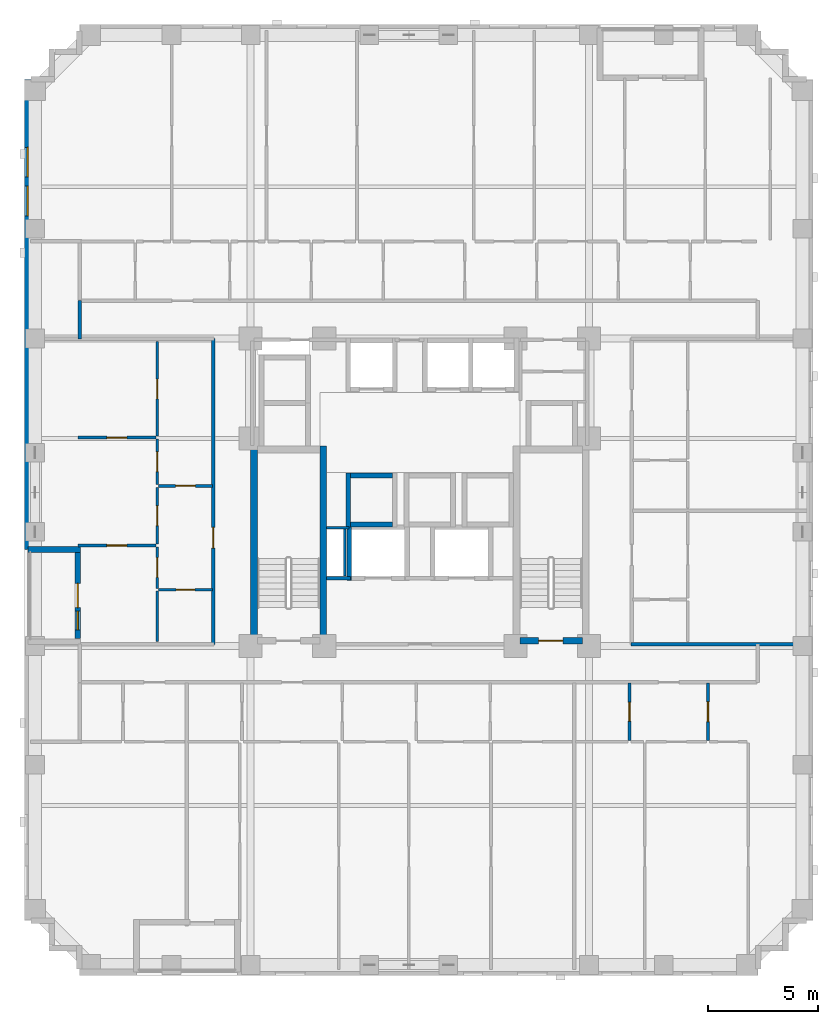
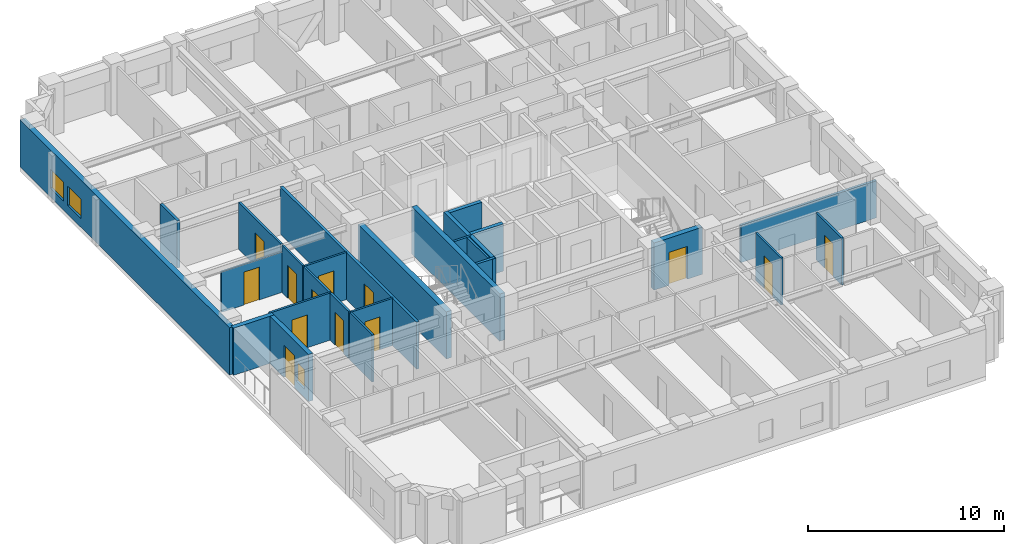
# One storey, part 4 of 12: 27 walls, 13 doors, 3 windows, 16 openings.
"""IFC4 building model written with IfcOpenShell, lengths in metres."""

import ifcopenshell
import ifcopenshell.guid

model = None  # the IFC model being written
_history = None  # IfcOwnerHistory: only IFC2X3 demands one
_inside = {}  # id of a spatial element -> (the spatial element, [elements in it])
_under = {}  # id of a project, library or spatial element -> (it, [spatial elements below it])
_declared = {}  # id of a project -> (the project, [libraries it declares])
_typed = {}  # id of a type object -> (the type object, [elements of that type])
_made_of = {}  # id of a material, layer set ... -> (it, [elements and type objects made of it])


def new_model(schema):
    """Start an empty IFC model of exactly this schema.

    Asked for "IFC4X3", IfcOpenShell would pick the latest addendum, in which some entities
    have other attributes; the version numbers below select the first issue.
    IFC2X3 requires an IfcOwnerHistory on every rooted entity: one is made here for all.
    """
    global model, _history
    if schema == "IFC4X3":
        model = ifcopenshell.file(schema_version=(4, 3, 0, 0))
    else:
        model = ifcopenshell.file(schema=schema)
    _inside.clear()
    _under.clear()
    _declared.clear()
    _typed.clear()
    _made_of.clear()
    _history = None
    if model.schema == "IFC2X3":
        org = make("IfcOrganization", Name="unknown")
        user = make(
            "IfcPersonAndOrganization",
            ThePerson=make("IfcPerson", FamilyName="unknown"),
            TheOrganization=org,
        )
        app = make(
            "IfcApplication",
            ApplicationDeveloper=org,
            Version="unknown",
            ApplicationFullName="unknown",
            ApplicationIdentifier="unknown",
        )
        _history = make(
            "IfcOwnerHistory",
            OwningUser=user,
            OwningApplication=app,
            ChangeAction="ADDED",
            CreationDate=0,
        )
    return model


def make(cls, **values):
    """One entity of the class cls with the attributes given. An attribute that is None is left unset."""
    return model.create_entity(
        cls, **{name: value for name, value in values.items() if value is not None}
    )


def rooted(cls, **values):
    """An entity with a GlobalId (a new one), such as an element, a storey or a relation."""
    return make(cls, GlobalId=ifcopenshell.guid.new(), OwnerHistory=_history, **values)


def si_unit(unit_type, name, prefix=None):
    """IfcSIUnit, for example si_unit("LENGTHUNIT", "METRE", prefix="MILLI")."""
    return make("IfcSIUnit", UnitType=unit_type, Prefix=prefix, Name=name)


def derived_unit(unit_type, elements):
    """IfcDerivedUnit: a product of units, each with its exponent."""
    return make(
        "IfcDerivedUnit",
        Elements=[
            make("IfcDerivedUnitElement", Unit=unit, Exponent=power)
            for unit, power in elements
        ],
        UnitType=unit_type,
    )


def assignment(units):
    """IfcUnitAssignment: the units of a project."""
    return None if units is None else make("IfcUnitAssignment", Units=units)


def point(xyz):
    """IfcCartesianPoint."""
    return None if xyz is None else make("IfcCartesianPoint", Coordinates=xyz)


def direction(xyz):
    """IfcDirection."""
    return None if xyz is None else make("IfcDirection", DirectionRatios=xyz)


def frame(location, z_axis=None, x_axis=None):
    """IfcAxis2Placement3D, a coordinate frame: its origin and axes. An axis left out is left unset."""
    return make(
        "IfcAxis2Placement3D",
        Location=point(location),
        Axis=direction(z_axis),
        RefDirection=direction(x_axis),
    )


def frame_2d(location, x_axis=None):
    """IfcAxis2Placement2D, a coordinate frame in the plane: its origin and x axis."""
    return make(
        "IfcAxis2Placement2D", Location=point(location), RefDirection=direction(x_axis)
    )


def origin():
    """The frame at (0, 0, 0) with its axes left unset."""
    return frame((0.0, 0.0, 0.0))


def place(relative_to, where):
    """IfcLocalPlacement: puts the frame where relative to a parent placement (None: the world)."""
    return make(
        "IfcLocalPlacement", PlacementRelTo=relative_to, RelativePlacement=where
    )


def context(
    kind, dimensions, precision=None, world=None, true_north=None, identifier=None
):
    """IfcGeometricRepresentationContext, for example the 3D "Model" context."""
    return make(
        "IfcGeometricRepresentationContext",
        ContextIdentifier=identifier,
        ContextType=kind,
        CoordinateSpaceDimension=dimensions,
        Precision=precision,
        WorldCoordinateSystem=world,
        TrueNorth=true_north,
    )


def subcontext(parent, identifier, kind, view, scale=None):
    """IfcGeometricRepresentationSubContext, for example "Body" below "Model"."""
    return make(
        "IfcGeometricRepresentationSubContext",
        ContextIdentifier=identifier,
        ContextType=kind,
        ParentContext=parent,
        TargetScale=scale,
        TargetView=view,
    )


def project(units=None, contexts=None):
    """IfcProject with its units and contexts."""
    return rooted(
        "IfcProject",
        Name="project",
        RepresentationContexts=contexts,
        UnitsInContext=assignment(units),
    )


def spatial(cls, under=None, at=None, **own):
    """A site, building, storey or space (cls), placed at a placement, below another one or the project."""
    s = rooted(cls, ObjectPlacement=at, **own)
    if under is not None:
        _under.setdefault(under.id(), (under, []))[1].append(s)
    return s


def profile(cls, at=None, kind="AREA", **sizes):
    """A parametric profile (cls). Its sizes go by their IFC names, for example OverallWidth=200.0."""
    return make(cls, ProfileType=kind, Position=at, **sizes)


def rectangle(**sizes):
    """IfcRectangleProfileDef."""
    return profile("IfcRectangleProfileDef", **sizes)


def extrude(swept, where, along, depth):
    """IfcExtrudedAreaSolid: the profile swept, set in the frame where, extruded along a direction by depth."""
    return make(
        "IfcExtrudedAreaSolid",
        SweptArea=swept,
        Position=where,
        ExtrudedDirection=direction(along),
        Depth=depth,
    )


def shape(context_of_items, identifier, shape_type, items):
    """IfcShapeRepresentation: the items that make up one representation, for example the "Body"."""
    return make(
        "IfcShapeRepresentation",
        ContextOfItems=context_of_items,
        RepresentationIdentifier=identifier,
        RepresentationType=shape_type,
        Items=items,
    )


def material(Name=None, Category=None):
    """IfcMaterial."""
    return make("IfcMaterial", Name=Name, Category=Category)


def layer(
    of_material, thickness, ventilated=None, Name=None, Category=None, Priority=None
):
    """IfcMaterialLayer: one layer of a wall or slab, of a material (None: an air gap)."""
    return make(
        "IfcMaterialLayer",
        Material=of_material,
        LayerThickness=thickness,
        IsVentilated=ventilated,
        Name=Name,
        Category=Category,
        Priority=Priority,
    )


def layer_set(layers, Name=None):
    """IfcMaterialLayerSet."""
    return make("IfcMaterialLayerSet", MaterialLayers=layers, LayerSetName=Name)


def made_of(thing, what):
    """Note that an element or type object is made of a material, layer set ...; save() writes the relation."""
    if what is not None:
        _made_of.setdefault(what.id(), (what, []))[1].append(thing)
    return thing


def type_object(cls, material=None, **own):
    """A type object (cls), such as IfcWallType, which elements share."""
    return made_of(rooted(cls, **own), material)


def element(
    cls,
    number,
    at=None,
    inside=None,
    cuts=None,
    type_object=None,
    material=None,
    context=None,
    identifier="Body",
    shape_type=None,
    held_by="IfcProductDefinitionShape",
    body=None,
    shapes=None,
    **own,
):
    """One element of the class cls, such as IfcWall. Its Tag is "e" and its number.

    at: its placement. inside: the storey or other place that contains it. cuts: it is an
    opening in that element (IfcRelVoidsElement). A single representation is given by context,
    identifier, shape_type and body (its items); several are given by shapes. held_by: the class
    of the entity that holds the representations. save() writes the other relations.
    """
    e = rooted(cls, Tag="e%d" % number, ObjectPlacement=at, **own)
    if body is not None:
        shapes = [shape(context, identifier, shape_type, body)]
    if shapes is not None:
        e.Representation = make(held_by, Representations=shapes)
    if inside is not None:
        _inside.setdefault(inside.id(), (inside, []))[1].append(e)
    if cuts is not None:
        rooted(
            "IfcRelVoidsElement", RelatingBuildingElement=cuts, RelatedOpeningElement=e
        )
    if type_object is not None:
        _typed.setdefault(type_object.id(), (type_object, []))[1].append(e)
    return made_of(e, material)


def fill(opening, filler):
    """IfcRelFillsElement: the door or window that sits in an opening."""
    return rooted(
        "IfcRelFillsElement",
        RelatingOpeningElement=opening,
        RelatedBuildingElement=filler,
    )


def aggregate(whole, parts):
    """IfcRelAggregates: a whole, such as a stair, and the parts it consists of."""
    return rooted("IfcRelAggregates", RelatingObject=whole, RelatedObjects=parts)


def save(model, path):
    """Write the relations noted so far, then the file.

    IfcRelAggregates (storeys below a building ...), IfcRelContainedInSpatialStructure (elements
    in a storey), IfcRelDefinesByType, IfcRelAssociatesMaterial and IfcRelDeclares: one each for
    every whole, place, type object, material and project.
    """
    for whole, parts in _under.values():
        aggregate(whole, parts)
    for where, things in _inside.values():
        rooted(
            "IfcRelContainedInSpatialStructure",
            RelatedElements=things,
            RelatingStructure=where,
        )
    for kind, things in _typed.values():
        rooted("IfcRelDefinesByType", RelatedObjects=things, RelatingType=kind)
    for what, things in _made_of.values():
        rooted("IfcRelAssociatesMaterial", RelatedObjects=things, RelatingMaterial=what)
    for by, libraries in _declared.values():
        rooted("IfcRelDeclares", RelatingContext=by, RelatedDefinitions=libraries)
    model.write(path)


model = new_model("IFC4")

# Units and contexts
model_context = context("Model", 3, precision=1e-05, world=origin(), true_north=direction((0.0, 1.0)))
body_context = subcontext(model_context, "Body", "Model", "MODEL_VIEW")
ifc_project = project(units=[si_unit("LENGTHUNIT", "METRE"), si_unit("AREAUNIT", "SQUARE_METRE"), si_unit("VOLUMEUNIT", "CUBIC_METRE"), si_unit("PLANEANGLEUNIT", "RADIAN"), si_unit("MASSUNIT", "GRAM", prefix="KILO"), derived_unit("THERMALTRANSMITTANCEUNIT", [(si_unit("MASSUNIT", "GRAM", prefix="KILO"), 1), (si_unit("TIMEUNIT", "SECOND"), -3), (si_unit("THERMODYNAMICTEMPERATUREUNIT", "KELVIN"), -1)])], contexts=[model_context])

# Site, building, storey
site_placement = place(None, origin())
site = spatial("IfcSite", under=ifc_project, at=site_placement, CompositionType="ELEMENT")
building_placement = place(site_placement, origin())
building = spatial("IfcBuilding", under=site, at=building_placement, Name="Korrvale Station Residences", CompositionType="ELEMENT")
storey_placement = place(building_placement, frame((0.0, 0.0, 78.300048828125)))
storey = spatial("IfcBuildingStorey", under=building, at=storey_placement, Name="L21", CompositionType="ELEMENT", Elevation=78.300048828125)

# Walls
ifc_material_1 = material(Name="Concrete C60/75", Category="concrete")
ifc_layer_1 = layer(ifc_material_1, 0.300048828125, Name="Concrete C60/75")
ifc_layer_set_1 = layer_set([ifc_layer_1], Name="Concrete C60/75")
wall_type_1 = type_object("IfcWallType", Name="WAL-CORE-300-C60", PredefinedType="SHEAR", material=ifc_layer_set_1)
for number, where, z_axis, x_axis, name in (
    (1, (17.949951171875, 15.10009765625, 0.0), (0.0, 0.0, 1.0), (0.0, 1.0, 0.0), "L21 ST-1 Core Shear Wall West"),
    (2, (21.10009765625, 15.10009765625, 0.0), (0.0, 0.0, 1.0), (0.0, 1.0, 0.0), "L21 ST-1 Core Shear Wall East"),
):
    element("IfcWall", number, at=place(storey_placement, frame(where, z_axis=z_axis, x_axis=x_axis)), inside=storey, type_object=wall_type_1, Name=name, PredefinedType="SHEAR", context=body_context, shape_type="SweptSolid", body=[
        extrude(rectangle(XDim=9.0, YDim=0.300048828125, at=frame_2d((4.5, 0.0))), origin(), (0.0, 0.0, 1.0), 2.93994140625),
    ])

# Wall, opening, door
wall_1_placement = place(storey_placement, frame((30.050048828125, 15.25, 0.0), z_axis=(0.0, 0.0, 1.0), x_axis=(1.0, 0.0, 0.0)))
wall_1 = element("IfcWall", 3, at=wall_1_placement, inside=storey, type_object=wall_type_1, Name="L21 ST-2 Core Shear Wall South", PredefinedType="SHEAR", context=body_context, shape_type="SweptSolid", body=[
    extrude(rectangle(XDim=2.849853515625, YDim=0.300048828125, at=frame_2d((1.4248046875, 0.0))), origin(), (0.0, 0.0, 1.0), 2.93994140625),
])
opening_1_placement = place(wall_1_placement, frame((0.860107421875, 0.0, 0.0)))
opening_1 = element("IfcOpeningElement", 4, at=opening_1_placement, cuts=wall_1, Name="Opening SD-1100", PredefinedType="OPENING", context=body_context, shape_type="SweptSolid", body=[
    extrude(rectangle(XDim=1.10009765625, YDim=2.050048828125, at=frame_2d((0.550048828125, 1.02490234375))), frame((0.0, 0.16015625, 0.0), z_axis=(0.0, -1.0, 0.0), x_axis=(1.0, 0.0, 0.0)), (0.0, 0.0, 1.0), 0.320068359375),
])
ifc_material_2 = material(Name="Hollow-metal fire-rated stair door with closer", Category="steel")
door_type_1 = type_object("IfcDoorType", Name="DR-STAIR-1100", OperationType="NOTDEFINED", PredefinedType="DOOR", material=ifc_material_2)
door_1_placement = place(opening_1_placement, origin())
door_1 = element("IfcDoor", 5, at=door_1_placement, inside=storey, type_object=door_type_1, Name="L21 ST-2 Exit Stair Door", OperationType="SINGLE_SWING_RIGHT", OverallHeight=2.050048828125, OverallWidth=1.10009765625, PredefinedType="DOOR", context=body_context, shape_type="SweptSolid", body=[
    extrude(rectangle(XDim=1.10009765625, YDim=2.050048828125, at=frame_2d((0.550048828125, 1.02490234375))), frame((0.0, 0.02490234375, 0.0), z_axis=(0.0, -1.0, 0.0), x_axis=(1.0, 0.0, 0.0)), (0.0, 0.0, 1.0), 0.050048828125),
])
fill(opening_1, door_1)

# Wall, openings, door, window
ifc_material_3 = material(Name="Precast concrete C45/55", Category="concrete")
ifc_layer_2 = layer(ifc_material_3, 0.260009765625, Name="Precast concrete C45/55")
ifc_layer_set_2 = layer_set([ifc_layer_2], Name="Precast concrete C45/55")
wall_type_2 = type_object("IfcWallType", Name="WAL-EXT-LOG260", PredefinedType="SOLIDWALL", material=ifc_layer_set_2)
wall_2_placement = place(storey_placement, frame((9.929931640625, 15.333984375, 0.0), z_axis=(0.0, 0.0, 1.0), x_axis=(0.0, 1.0, 0.0)))
wall_2 = element("IfcWall", 6, at=wall_2_placement, inside=storey, type_object=wall_type_2, Name="L21 Recessed Loggia Wall BAL-L21-W1-B", PredefinedType="SOLIDWALL", context=body_context, shape_type="SweptSolid", body=[
    extrude(rectangle(XDim=3.93212890625, YDim=0.260009765625, at=frame_2d((1.966064453125, 0.0))), origin(), (0.0, 0.0, 1.0), 2.93994140625),
])
opening_2_placement = place(wall_2_placement, frame((1.416015625, 0.0, 0.0)))
opening_2 = element("IfcOpeningElement", 7, at=opening_2_placement, cuts=wall_2, Name="Opening BD-01", PredefinedType="OPENING", context=body_context, shape_type="SweptSolid", body=[
    extrude(rectangle(XDim=1.10009765625, YDim=2.0, at=frame_2d((0.550048828125, 1.0))), frame((0.0, 0.14013671875, 0.0), z_axis=(0.0, -1.0, 0.0), x_axis=(1.0, 0.0, 0.0)), (0.0, 0.0, 1.0), 0.280029296875),
])
opening_3_placement = place(wall_2_placement, frame((0.406005859375, 0.0, 0.550048828125)))
opening_3 = element("IfcOpeningElement", 8, at=opening_3_placement, cuts=wall_2, Name="Opening W-11", PredefinedType="OPENING", context=body_context, shape_type="SweptSolid", body=[
    extrude(rectangle(XDim=0.85009765625, YDim=1.199951171875, at=frame_2d((0.425048828125, 0.60009765625))), frame((0.0, 0.14013671875, 0.0), z_axis=(0.0, -1.0, 0.0), x_axis=(1.0, 0.0, 0.0)), (0.0, 0.0, 1.0), 0.280029296875),
])
ifc_material_4 = material(Name="Exterior thermally broken aluminium glazed balcony door", Category="aluminium")
door_type_2 = type_object("IfcDoorType", Name="DR-EXT-BAL", OperationType="NOTDEFINED", PredefinedType="DOOR", material=ifc_material_4)
door_2_placement = place(opening_2_placement, origin())
door_2 = element("IfcDoor", 9, at=door_2_placement, inside=storey, type_object=door_type_2, Name="L21 Loggia Balcony Door BAL-L21-W1", OperationType="SINGLE_SWING_RIGHT", OverallHeight=2.0, OverallWidth=1.10009765625, PredefinedType="DOOR", context=body_context, shape_type="SweptSolid", body=[
    extrude(rectangle(XDim=1.10009765625, YDim=2.0, at=frame_2d((0.550048828125, 1.0))), frame((0.0, 0.02490234375, 0.0), z_axis=(0.0, -1.0, 0.0), x_axis=(1.0, 0.0, 0.0)), (0.0, 0.0, 1.0), 0.050048828125),
])
fill(opening_2, door_2)
ifc_material_5 = material(Name="Thermally broken aluminium frame with triple low-e glazing", Category="aluminium")
window_type_1 = type_object("IfcWindowType", Name="WIN-W11", PartitioningType="SINGLE_PANEL", PredefinedType="WINDOW", material=ifc_material_5)
window_1_placement = place(opening_3_placement, origin())
window_1 = element("IfcWindow", 10, at=window_1_placement, inside=storey, type_object=window_type_1, Name="L21 Punched Window 18", OverallHeight=1.199951171875, OverallWidth=0.85009765625, PartitioningType="SINGLE_PANEL", PredefinedType="WINDOW", context=body_context, shape_type="SweptSolid", body=[
    extrude(rectangle(XDim=0.85009765625, YDim=1.199951171875, at=frame_2d((0.425048828125, 0.60009765625))), frame((0.0, 0.030029296875, 0.0), z_axis=(0.0, -1.0, 0.0), x_axis=(1.0, 0.0, 0.0)), (0.0, 0.0, 1.0), 0.06005859375),
])
fill(opening_3, window_1)

# Wall
wall_3_placement = place(storey_placement, frame((10.06005859375, 19.39990234375, 0.0), z_axis=(0.0, 0.0, 1.0), x_axis=(-1.0, 0.0, 0.0)))
element("IfcWall", 11, at=wall_3_placement, inside=storey, type_object=wall_type_2, Name="L21 Recessed Loggia Wall BAL-L21-W1-R", PredefinedType="SOLIDWALL", context=body_context, shape_type="SweptSolid", body=[
    extrude(rectangle(XDim=2.400146484375, YDim=0.260009765625, at=frame_2d((1.2001953125, 0.0))), origin(), (0.0, 0.0, 1.0), 2.93994140625),
])

# Wall, openings, windows
ifc_layer_3 = layer(ifc_material_3, 0.300048828125, Name="Precast concrete C45/55")
ifc_layer_set_3 = layer_set([ifc_layer_3], Name="Precast concrete C45/55")
wall_type_3 = type_object("IfcWallType", Name="WAL-EXT-PC300", PredefinedType="SOLIDWALL", material=ifc_layer_set_3)
wall_4_placement = place(storey_placement, frame((7.64990234375, 19.39990234375, 0.0), z_axis=(0.0, 0.0, 1.0), x_axis=(0.0, 1.0, 0.0)))
wall_4 = element("IfcWall", 12, at=wall_4_placement, inside=storey, type_object=wall_type_3, Name="L21 West Exterior Precast Wall 2", PredefinedType="SOLIDWALL", context=body_context, shape_type="SweptSolid", body=[
    extrude(rectangle(XDim=21.400146484375, YDim=0.300048828125, at=frame_2d((10.7001953125, 0.0))), origin(), (0.0, 0.0, 1.0), 2.93994140625),
])
opening_4_placement = place(wall_4_placement, frame((16.95703125, 0.0, 0.550048828125)))
opening_4 = element("IfcOpeningElement", 13, at=opening_4_placement, cuts=wall_4, Name="Opening W-10", PredefinedType="OPENING", context=body_context, shape_type="SweptSolid", body=[
    extrude(rectangle(XDim=1.35009765625, YDim=1.199951171875, at=frame_2d((0.675048828125, 0.60009765625))), frame((0.0, 0.16015625, 0.0), z_axis=(0.0, -1.0, 0.0), x_axis=(1.0, 0.0, 0.0)), (0.0, 0.0, 1.0), 0.320068359375),
])
opening_5_placement = place(wall_4_placement, frame((15.18505859375, 0.0, 0.550048828125)))
opening_5 = element("IfcOpeningElement", 14, at=opening_5_placement, cuts=wall_4, Name="Opening W-10", PredefinedType="OPENING", context=body_context, shape_type="SweptSolid", body=[
    extrude(rectangle(XDim=1.35009765625, YDim=1.199951171875, at=frame_2d((0.675048828125, 0.60009765625))), frame((0.0, 0.16015625, 0.0), z_axis=(0.0, -1.0, 0.0), x_axis=(1.0, 0.0, 0.0)), (0.0, 0.0, 1.0), 0.320068359375),
])
window_type_2 = type_object("IfcWindowType", Name="WIN-W10", PartitioningType="SINGLE_PANEL", PredefinedType="WINDOW", material=ifc_material_5)
window_2_placement = place(opening_4_placement, origin())
window_2 = element("IfcWindow", 15, at=window_2_placement, inside=storey, type_object=window_type_2, Name="L21 Punched Window 10", OverallHeight=1.199951171875, OverallWidth=1.35009765625, PartitioningType="SINGLE_PANEL", PredefinedType="WINDOW", context=body_context, shape_type="SweptSolid", body=[
    extrude(rectangle(XDim=1.35009765625, YDim=1.199951171875, at=frame_2d((0.675048828125, 0.60009765625))), frame((0.0, 0.030029296875, 0.0), z_axis=(0.0, -1.0, 0.0), x_axis=(1.0, 0.0, 0.0)), (0.0, 0.0, 1.0), 0.06005859375),
])
fill(opening_4, window_2)
window_3_placement = place(opening_5_placement, origin())
window_3 = element("IfcWindow", 16, at=window_3_placement, inside=storey, type_object=window_type_2, Name="L21 Punched Window 11", OverallHeight=1.199951171875, OverallWidth=1.35009765625, PartitioningType="SINGLE_PANEL", PredefinedType="WINDOW", context=body_context, shape_type="SweptSolid", body=[
    extrude(rectangle(XDim=1.35009765625, YDim=1.199951171875, at=frame_2d((0.675048828125, 0.60009765625))), frame((0.0, 0.030029296875, 0.0), z_axis=(0.0, -1.0, 0.0), x_axis=(1.0, 0.0, 0.0)), (0.0, 0.0, 1.0), 0.06005859375),
])
fill(opening_5, window_3)

# Walls
ifc_material_6 = material(Name="Acoustic steel-stud gypsum board partition", Category="steel")
ifc_layer_4 = layer(ifc_material_6, 0.1201171875, Name="Acoustic steel-stud gypsum board partition")
ifc_layer_set_4 = layer_set([ifc_layer_4], Name="Acoustic steel-stud gypsum board partition")
wall_type_4 = type_object("IfcWallType", Name="WAL-PART-125", PredefinedType="PARTITIONING", material=ifc_layer_set_4)
wall_5_placement = place(storey_placement, frame((22.080078125, 18.199951171875, 0.0), z_axis=(0.0, 0.0, 1.0), x_axis=(0.0, 1.0, 0.0)))
element("IfcWall", 17, at=wall_5_placement, inside=storey, type_object=wall_type_4, Name="L21 Core Partition CW-RSWT", PredefinedType="PARTITIONING", context=body_context, shape_type="SweptSolid", body=[
    extrude(rectangle(XDim=2.1201171875, YDim=0.1201171875, at=frame_2d((1.06005859375, 0.0))), origin(), (0.0, 0.0, 1.0), 2.93994140625),
])
wall_6_placement = place(storey_placement, frame((22.280029296875, 20.3798828125, 0.0), z_axis=(0.0, 0.0, 1.0), x_axis=(-1.0, 0.0, 0.0)))
element("IfcWall", 18, at=wall_6_placement, inside=storey, type_object=wall_type_4, Name="L21 Core Partition CW-RSWT-N", PredefinedType="PARTITIONING", context=body_context, shape_type="SweptSolid", body=[
    extrude(rectangle(XDim=1.02001953125, YDim=0.1201171875, at=frame_2d((0.510009765625, 0.0))), origin(), (0.0, 0.0, 1.0), 2.93994140625),
])

# Wall, opening, door
wall_7_placement = place(storey_placement, frame((35.0458984375, 10.7099609375, 0.0), z_axis=(0.0, 0.0, 1.0), x_axis=(0.0, 1.0, 0.0)))
wall_7 = element("IfcWall", 19, at=wall_7_placement, inside=storey, type_object=wall_type_4, Name="L21 Suite Partition U03-V01", PredefinedType="PARTITIONING", context=body_context, shape_type="SweptSolid", body=[
    extrude(rectangle(XDim=2.60009765625, YDim=0.1201171875, at=frame_2d((1.300048828125, 0.0))), origin(), (0.0, 0.0, 1.0), 2.93994140625),
])
opening_6_placement = place(wall_7_placement, frame((0.8701171875, 0.0, 0.0)))
opening_6 = element("IfcOpeningElement", 20, at=opening_6_placement, cuts=wall_7, Name="Opening DB-860", PredefinedType="OPENING", context=body_context, shape_type="SweptSolid", body=[
    extrude(rectangle(XDim=0.860107421875, YDim=2.050048828125, at=frame_2d((0.43017578125, 1.02490234375))), frame((0.0, 0.070068359375, 0.0), z_axis=(0.0, -1.0, 0.0), x_axis=(1.0, 0.0, 0.0)), (0.0, 0.0, 1.0), 0.14013671875),
])
ifc_material_7 = material(Name="Moisture-resistant solid-core bathroom door", Category="timber")
door_type_3 = type_object("IfcDoorType", Name="DR-BATH-860", OperationType="NOTDEFINED", PredefinedType="DOOR", material=ifc_material_7)
door_3_placement = place(opening_6_placement, origin())
door_3 = element("IfcDoor", 21, at=door_3_placement, inside=storey, type_object=door_type_3, Name="L21 Studio Apartment L21-U03 Bathroom Door", OperationType="SINGLE_SWING_LEFT", OverallHeight=2.050048828125, OverallWidth=0.860107421875, PredefinedType="DOOR", context=body_context, shape_type="SweptSolid", body=[
    extrude(rectangle(XDim=0.860107421875, YDim=2.050048828125, at=frame_2d((0.43017578125, 1.02490234375))), frame((0.0, 0.02490234375, 0.0), z_axis=(0.0, -1.0, 0.0), x_axis=(1.0, 0.0, 0.0)), (0.0, 0.0, 1.0), 0.050048828125),
])
fill(opening_6, door_3)

wall_8_placement = place(storey_placement, frame((38.615966796875, 10.7099609375, 0.0), z_axis=(0.0, 0.0, 1.0), x_axis=(0.0, 1.0, 0.0)))
wall_8 = element("IfcWall", 22, at=wall_8_placement, inside=storey, type_object=wall_type_4, Name="L21 Suite Partition U03-V12", PredefinedType="PARTITIONING", context=body_context, shape_type="SweptSolid", body=[
    extrude(rectangle(XDim=2.60009765625, YDim=0.1201171875, at=frame_2d((1.300048828125, 0.0))), origin(), (0.0, 0.0, 1.0), 2.93994140625),
])
opening_7_placement = place(wall_8_placement, frame((0.85009765625, 0.0, 0.0)))
opening_7 = element("IfcOpeningElement", 23, at=opening_7_placement, cuts=wall_8, Name="Opening DI-900", PredefinedType="OPENING", context=body_context, shape_type="SweptSolid", body=[
    extrude(rectangle(XDim=0.89990234375, YDim=2.050048828125, at=frame_2d((0.449951171875, 1.02490234375))), frame((0.0, 0.070068359375, 0.0), z_axis=(0.0, -1.0, 0.0), x_axis=(1.0, 0.0, 0.0)), (0.0, 0.0, 1.0), 0.14013671875),
])
ifc_material_8 = material(Name="Painted solid-core timber interior room door", Category="wood")
door_type_4 = type_object("IfcDoorType", Name="DR-INT-900", OperationType="NOTDEFINED", PredefinedType="DOOR", material=ifc_material_8)
door_4_placement = place(opening_7_placement, origin())
door_4 = element("IfcDoor", 24, at=door_4_placement, inside=storey, type_object=door_type_4, Name="L21 Studio Apartment L21-U03 Kitchen Door", OperationType="SINGLE_SWING_RIGHT", OverallHeight=2.050048828125, OverallWidth=0.89990234375, PredefinedType="DOOR", context=body_context, shape_type="SweptSolid", body=[
    extrude(rectangle(XDim=0.89990234375, YDim=2.050048828125, at=frame_2d((0.449951171875, 1.02490234375))), frame((0.0, 0.02490234375, 0.0), z_axis=(0.0, -1.0, 0.0), x_axis=(1.0, 0.0, 0.0)), (0.0, 0.0, 1.0), 0.050048828125),
])
fill(opening_7, door_4)

wall_9_placement = place(storey_placement, frame((13.610107421875, 22.2900390625, 0.0), z_axis=(0.0, 0.0, 1.0), x_axis=(1.0, 0.0, 0.0)))
wall_9 = element("IfcWall", 25, at=wall_9_placement, inside=storey, type_object=wall_type_4, Name="L21 Suite Partition U05-H02", PredefinedType="PARTITIONING", context=body_context, shape_type="SweptSolid", body=[
    extrude(rectangle(XDim=2.449951171875, YDim=0.1201171875, at=frame_2d((1.22509765625, 0.0))), origin(), (0.0, 0.0, 1.0), 2.93994140625),
])
opening_8_placement = place(wall_9_placement, frame((0.77490234375, 0.0, 0.0)))
opening_8 = element("IfcOpeningElement", 26, at=opening_8_placement, cuts=wall_9, Name="Opening DI-900", PredefinedType="OPENING", context=body_context, shape_type="SweptSolid", body=[
    extrude(rectangle(XDim=0.89990234375, YDim=2.050048828125, at=frame_2d((0.449951171875, 1.02490234375))), frame((0.0, 0.070068359375, 0.0), z_axis=(0.0, -1.0, 0.0), x_axis=(1.0, 0.0, 0.0)), (0.0, 0.0, 1.0), 0.14013671875),
])
door_5_placement = place(opening_8_placement, origin())
door_5 = element("IfcDoor", 27, at=door_5_placement, inside=storey, type_object=door_type_4, Name="L21 Apartment 2BR L21-U05 Wardrobe Storage Room Door", OperationType="SINGLE_SWING_LEFT", OverallHeight=2.050048828125, OverallWidth=0.89990234375, PredefinedType="DOOR", context=body_context, shape_type="SweptSolid", body=[
    extrude(rectangle(XDim=0.89990234375, YDim=2.050048828125, at=frame_2d((0.449951171875, 1.02490234375))), frame((0.0, 0.02490234375, 0.0), z_axis=(0.0, -1.0, 0.0), x_axis=(1.0, 0.0, 0.0)), (0.0, 0.0, 1.0), 0.050048828125),
])
fill(opening_8, door_5)

wall_10_placement = place(storey_placement, frame((13.550048828125, 22.35009765625, 0.0), z_axis=(0.0, 0.0, 1.0), x_axis=(0.0, 1.0, 0.0)))
wall_10 = element("IfcWall", 28, at=wall_10_placement, inside=storey, type_object=wall_type_4, Name="L21 Suite Partition U05-V04", PredefinedType="PARTITIONING", context=body_context, shape_type="SweptSolid", body=[
    extrude(rectangle(XDim=2.081787109375, YDim=0.1201171875, at=frame_2d((1.041015625, 0.0))), origin(), (0.0, 0.0, 1.0), 2.93994140625),
])
opening_9_placement = place(wall_10_placement, frame((0.591064453125, 0.0, 0.0)))
opening_9 = element("IfcOpeningElement", 29, at=opening_9_placement, cuts=wall_10, Name="Opening DI-900", PredefinedType="OPENING", context=body_context, shape_type="SweptSolid", body=[
    extrude(rectangle(XDim=0.89990234375, YDim=2.050048828125, at=frame_2d((0.449951171875, 1.02490234375))), frame((0.0, 0.070068359375, 0.0), z_axis=(0.0, -1.0, 0.0), x_axis=(1.0, 0.0, 0.0)), (0.0, 0.0, 1.0), 0.14013671875),
])
door_6_placement = place(opening_9_placement, origin())
door_6 = element("IfcDoor", 30, at=door_6_placement, inside=storey, type_object=door_type_4, Name="L21 Apartment 2BR L21-U05 Wardrobe Storage Room Door", OperationType="SINGLE_SWING_RIGHT", OverallHeight=2.050048828125, OverallWidth=0.89990234375, PredefinedType="DOOR", context=body_context, shape_type="SweptSolid", body=[
    extrude(rectangle(XDim=0.89990234375, YDim=2.050048828125, at=frame_2d((0.449951171875, 1.02490234375))), frame((0.0, 0.02490234375, 0.0), z_axis=(0.0, -1.0, 0.0), x_axis=(1.0, 0.0, 0.0)), (0.0, 0.0, 1.0), 0.050048828125),
])
fill(opening_9, door_6)

wall_11_placement = place(storey_placement, frame((13.550048828125, 24.552001953125, 0.0), z_axis=(0.0, 0.0, 1.0), x_axis=(0.0, 1.0, 0.0)))
wall_11 = element("IfcWall", 31, at=wall_11_placement, inside=storey, type_object=wall_type_4, Name="L21 Suite Partition U05-V05", PredefinedType="PARTITIONING", context=body_context, shape_type="SweptSolid", body=[
    extrude(rectangle(XDim=4.30810546875, YDim=0.1201171875, at=frame_2d((2.154052734375, 0.0))), origin(), (0.0, 0.0, 1.0), 2.93994140625),
])
opening_10_placement = place(wall_11_placement, frame((1.7041015625, 0.0, 0.0)))
opening_10 = element("IfcOpeningElement", 32, at=opening_10_placement, cuts=wall_11, Name="Opening DI-900", PredefinedType="OPENING", context=body_context, shape_type="SweptSolid", body=[
    extrude(rectangle(XDim=0.89990234375, YDim=2.050048828125, at=frame_2d((0.449951171875, 1.02490234375))), frame((0.0, 0.070068359375, 0.0), z_axis=(0.0, -1.0, 0.0), x_axis=(1.0, 0.0, 0.0)), (0.0, 0.0, 1.0), 0.14013671875),
])
door_7_placement = place(opening_10_placement, origin())
door_7 = element("IfcDoor", 33, at=door_7_placement, inside=storey, type_object=door_type_4, Name="L21 Apartment 2BR L21-U05 Wardrobe Storage Room Door", OperationType="SINGLE_SWING_LEFT", OverallHeight=2.050048828125, OverallWidth=0.89990234375, PredefinedType="DOOR", context=body_context, shape_type="SweptSolid", body=[
    extrude(rectangle(XDim=0.89990234375, YDim=2.050048828125, at=frame_2d((0.449951171875, 1.02490234375))), frame((0.0, 0.02490234375, 0.0), z_axis=(0.0, -1.0, 0.0), x_axis=(1.0, 0.0, 0.0)), (0.0, 0.0, 1.0), 0.050048828125),
])
fill(opening_10, door_7)

wall_12_placement = place(storey_placement, frame((13.610107421875, 17.570068359375, 0.0), z_axis=(0.0, 0.0, 1.0), x_axis=(1.0, 0.0, 0.0)))
wall_12 = element("IfcWall", 34, at=wall_12_placement, inside=storey, type_object=wall_type_4, Name="L21 Suite Partition U05-H12", PredefinedType="PARTITIONING", context=body_context, shape_type="SweptSolid", body=[
    extrude(rectangle(XDim=2.449951171875, YDim=0.1201171875, at=frame_2d((1.22509765625, 0.0))), origin(), (0.0, 0.0, 1.0), 2.93994140625),
])
opening_11_placement = place(wall_12_placement, frame((0.794921875, 0.0, 0.0)))
opening_11 = element("IfcOpeningElement", 35, at=opening_11_placement, cuts=wall_12, Name="Opening DB-860", PredefinedType="OPENING", context=body_context, shape_type="SweptSolid", body=[
    extrude(rectangle(XDim=0.860107421875, YDim=2.050048828125, at=frame_2d((0.43017578125, 1.02490234375))), frame((0.0, 0.070068359375, 0.0), z_axis=(0.0, -1.0, 0.0), x_axis=(1.0, 0.0, 0.0)), (0.0, 0.0, 1.0), 0.14013671875),
])
door_8_placement = place(opening_11_placement, origin())
door_8 = element("IfcDoor", 36, at=door_8_placement, inside=storey, type_object=door_type_3, Name="L21 Apartment 2BR L21-U05 Bathroom Door", OperationType="SINGLE_SWING_RIGHT", OverallHeight=2.050048828125, OverallWidth=0.860107421875, PredefinedType="DOOR", context=body_context, shape_type="SweptSolid", body=[
    extrude(rectangle(XDim=0.860107421875, YDim=2.050048828125, at=frame_2d((0.43017578125, 1.02490234375))), frame((0.0, 0.02490234375, 0.0), z_axis=(0.0, -1.0, 0.0), x_axis=(1.0, 0.0, 0.0)), (0.0, 0.0, 1.0), 0.050048828125),
])
fill(opening_11, door_8)

# Wall
wall_13_placement = place(storey_placement, frame((13.550048828125, 15.2099609375, 0.0), z_axis=(0.0, 0.0, 1.0), x_axis=(0.0, 1.0, 0.0)))
element("IfcWall", 37, at=wall_13_placement, inside=storey, type_object=wall_type_4, Name="L21 Suite Partition U05-V13", PredefinedType="PARTITIONING", context=body_context, shape_type="SweptSolid", body=[
    extrude(rectangle(XDim=2.300048828125, YDim=0.1201171875, at=frame_2d((1.14990234375, 0.0))), origin(), (0.0, 0.0, 1.0), 2.93994140625),
])

# Wall, opening, door
wall_14_placement = place(storey_placement, frame((13.550048828125, 17.6298828125, 0.0), z_axis=(0.0, 0.0, 1.0), x_axis=(0.0, 1.0, 0.0)))
wall_14 = element("IfcWall", 38, at=wall_14_placement, inside=storey, type_object=wall_type_4, Name="L21 Suite Partition U05-V23", PredefinedType="PARTITIONING", context=body_context, shape_type="SweptSolid", body=[
    extrude(rectangle(XDim=1.88818359375, YDim=0.1201171875, at=frame_2d((0.944091796875, 0.0))), origin(), (0.0, 0.0, 1.0), 2.93994140625),
])
opening_12_placement = place(wall_14_placement, frame((0.493896484375, 0.0, 0.0)))
opening_12 = element("IfcOpeningElement", 39, at=opening_12_placement, cuts=wall_14, Name="Opening DI-900", PredefinedType="OPENING", context=body_context, shape_type="SweptSolid", body=[
    extrude(rectangle(XDim=0.89990234375, YDim=2.050048828125, at=frame_2d((0.449951171875, 1.02490234375))), frame((0.0, 0.070068359375, 0.0), z_axis=(0.0, -1.0, 0.0), x_axis=(1.0, 0.0, 0.0)), (0.0, 0.0, 1.0), 0.14013671875),
])
door_9_placement = place(opening_12_placement, origin())
door_9 = element("IfcDoor", 40, at=door_9_placement, inside=storey, type_object=door_type_4, Name="L21 Apartment 2BR L21-U05 Kitchen Door", OperationType="SINGLE_SWING_LEFT", OverallHeight=2.050048828125, OverallWidth=0.89990234375, PredefinedType="DOOR", context=body_context, shape_type="SweptSolid", body=[
    extrude(rectangle(XDim=0.89990234375, YDim=2.050048828125, at=frame_2d((0.449951171875, 1.02490234375))), frame((0.0, 0.02490234375, 0.0), z_axis=(0.0, -1.0, 0.0), x_axis=(1.0, 0.0, 0.0)), (0.0, 0.0, 1.0), 0.050048828125),
])
fill(opening_12, door_9)

wall_15_placement = place(storey_placement, frame((13.550048828125, 19.637939453125, 0.0), z_axis=(0.0, 0.0, 1.0), x_axis=(0.0, 1.0, 0.0)))
wall_15 = element("IfcWall", 41, at=wall_15_placement, inside=storey, type_object=wall_type_4, Name="L21 Suite Partition U05-V24", PredefinedType="PARTITIONING", context=body_context, shape_type="SweptSolid", body=[
    extrude(rectangle(XDim=2.592041015625, YDim=0.1201171875, at=frame_2d((1.2958984375, 0.0))), origin(), (0.0, 0.0, 1.0), 2.93994140625),
])
opening_13_placement = place(wall_15_placement, frame((0.845947265625, 0.0, 0.0)))
opening_13 = element("IfcOpeningElement", 42, at=opening_13_placement, cuts=wall_15, Name="Opening DI-900", PredefinedType="OPENING", context=body_context, shape_type="SweptSolid", body=[
    extrude(rectangle(XDim=0.89990234375, YDim=2.050048828125, at=frame_2d((0.449951171875, 1.02490234375))), frame((0.0, 0.070068359375, 0.0), z_axis=(0.0, -1.0, 0.0), x_axis=(1.0, 0.0, 0.0)), (0.0, 0.0, 1.0), 0.14013671875),
])
door_10_placement = place(opening_13_placement, origin())
door_10 = element("IfcDoor", 43, at=door_10_placement, inside=storey, type_object=door_type_4, Name="L21 Apartment 2BR L21-U05 Kitchen Door", OperationType="SINGLE_SWING_RIGHT", OverallHeight=2.050048828125, OverallWidth=0.89990234375, PredefinedType="DOOR", context=body_context, shape_type="SweptSolid", body=[
    extrude(rectangle(XDim=0.89990234375, YDim=2.050048828125, at=frame_2d((0.449951171875, 1.02490234375))), frame((0.0, 0.02490234375, 0.0), z_axis=(0.0, -1.0, 0.0), x_axis=(1.0, 0.0, 0.0)), (0.0, 0.0, 1.0), 0.050048828125),
])
fill(opening_13, door_10)

wall_16_placement = place(storey_placement, frame((9.929931640625, 19.577880859375, 0.0), z_axis=(0.0, 0.0, 1.0), x_axis=(1.0, 0.0, 0.0)))
wall_16 = element("IfcWall", 44, at=wall_16_placement, inside=storey, type_object=wall_type_4, Name="L21 Suite Partition U05-H34", PredefinedType="PARTITIONING", context=body_context, shape_type="SweptSolid", body=[
    extrude(rectangle(XDim=3.56005859375, YDim=0.1201171875, at=frame_2d((1.780029296875, 0.0))), origin(), (0.0, 0.0, 1.0), 2.93994140625),
])
opening_14_placement = place(wall_16_placement, frame((1.330078125, 0.0, 0.0)))
opening_14 = element("IfcOpeningElement", 45, at=opening_14_placement, cuts=wall_16, Name="Opening DI-900", PredefinedType="OPENING", context=body_context, shape_type="SweptSolid", body=[
    extrude(rectangle(XDim=0.89990234375, YDim=2.050048828125, at=frame_2d((0.449951171875, 1.02490234375))), frame((0.0, 0.070068359375, 0.0), z_axis=(0.0, -1.0, 0.0), x_axis=(1.0, 0.0, 0.0)), (0.0, 0.0, 1.0), 0.14013671875),
])
door_11_placement = place(opening_14_placement, origin())
door_11 = element("IfcDoor", 46, at=door_11_placement, inside=storey, type_object=door_type_4, Name="L21 Apartment 2BR L21-U05 Bedroom 1 Door", OperationType="SINGLE_SWING_LEFT", OverallHeight=2.050048828125, OverallWidth=0.89990234375, PredefinedType="DOOR", context=body_context, shape_type="SweptSolid", body=[
    extrude(rectangle(XDim=0.89990234375, YDim=2.050048828125, at=frame_2d((0.449951171875, 1.02490234375))), frame((0.0, 0.02490234375, 0.0), z_axis=(0.0, -1.0, 0.0), x_axis=(1.0, 0.0, 0.0)), (0.0, 0.0, 1.0), 0.050048828125),
])
fill(opening_14, door_11)

wall_17_placement = place(storey_placement, frame((9.929931640625, 24.491943359375, 0.0), z_axis=(0.0, 0.0, 1.0), x_axis=(1.0, 0.0, 0.0)))
wall_17 = element("IfcWall", 47, at=wall_17_placement, inside=storey, type_object=wall_type_4, Name="L21 Suite Partition U05-H45", PredefinedType="PARTITIONING", context=body_context, shape_type="SweptSolid", body=[
    extrude(rectangle(XDim=3.56005859375, YDim=0.1201171875, at=frame_2d((1.780029296875, 0.0))), origin(), (0.0, 0.0, 1.0), 2.51806640625),
])
opening_15_placement = place(wall_17_placement, frame((1.330078125, 0.0, 0.0)))
opening_15 = element("IfcOpeningElement", 48, at=opening_15_placement, cuts=wall_17, Name="Opening DI-900", PredefinedType="OPENING", context=body_context, shape_type="SweptSolid", body=[
    extrude(rectangle(XDim=0.89990234375, YDim=2.050048828125, at=frame_2d((0.449951171875, 1.02490234375))), frame((0.0, 0.070068359375, 0.0), z_axis=(0.0, -1.0, 0.0), x_axis=(1.0, 0.0, 0.0)), (0.0, 0.0, 1.0), 0.14013671875),
])
door_12_placement = place(opening_15_placement, origin())
door_12 = element("IfcDoor", 49, at=door_12_placement, inside=storey, type_object=door_type_4, Name="L21 Apartment 2BR L21-U05 Living and Dining Room Door", OperationType="SINGLE_SWING_RIGHT", OverallHeight=2.050048828125, OverallWidth=0.89990234375, PredefinedType="DOOR", context=body_context, shape_type="SweptSolid", body=[
    extrude(rectangle(XDim=0.89990234375, YDim=2.050048828125, at=frame_2d((0.449951171875, 1.02490234375))), frame((0.0, 0.02490234375, 0.0), z_axis=(0.0, -1.0, 0.0), x_axis=(1.0, 0.0, 0.0)), (0.0, 0.0, 1.0), 0.050048828125),
])
fill(opening_15, door_12)

# Walls
ifc_material_9 = material(Name="Fire-rated twin-stud gypsum and mineral wool shaftwall assembly", Category="gypsum")
ifc_layer_5 = layer(ifc_material_9, 0.159912109375, Name="Fire-rated twin-stud gypsum and mineral wool shaftwall assembly")
ifc_layer_set_5 = layer_set([ifc_layer_5], Name="Fire-rated twin-stud gypsum and mineral wool shaftwall assembly")
wall_type_5 = type_object("IfcWallType", Name="WAL-PART-200", PredefinedType="PARTITIONING", material=ifc_layer_set_5)
wall_18_placement = place(storey_placement, frame((21.25, 18.080078125, 0.0), z_axis=(0.0, 0.0, 1.0), x_axis=(1.0, 0.0, 0.0)))
element("IfcWall", 50, at=wall_18_placement, inside=storey, type_object=wall_type_5, Name="L21 Core Partition CW-FFL-N1", PredefinedType="PARTITIONING", context=body_context, shape_type="SweptSolid", body=[
    extrude(rectangle(XDim=1.10009765625, YDim=0.159912109375, at=frame_2d((0.550048828125, 0.0))), origin(), (0.0, 0.0, 1.0), 2.93994140625),
])
wall_19_placement = place(storey_placement, frame((10.02001953125, 28.97998046875, 0.0), z_axis=(0.0, 0.0, 1.0), x_axis=(0.0, 1.0, 0.0)))
element("IfcWall", 51, at=wall_19_placement, inside=storey, type_object=wall_type_5, Name="L21 Corridor North West Cap", PredefinedType="PARTITIONING", context=body_context, shape_type="SweptSolid", body=[
    extrude(rectangle(XDim=1.739990234375, YDim=0.159912109375, at=frame_2d((0.8701171875, 0.0))), origin(), (0.0, 0.0, 1.0), 2.93994140625),
])
wall_20_placement = place(storey_placement, frame((35.110107421875, 15.090087890625, 0.0), z_axis=(0.0, 0.0, 1.0), x_axis=(1.0, 0.0, 0.0)))
element("IfcWall", 52, at=wall_20_placement, inside=storey, type_object=wall_type_5, Name="L21 East Wing South Corridor Wall", PredefinedType="PARTITIONING", context=body_context, shape_type="SweptSolid", body=[
    extrude(rectangle(XDim=8.010009765625, YDim=0.159912109375, at=frame_2d((4.0048828125, 0.0))), origin(), (0.0, 0.0, 1.0), 2.308837890625),
])

# Wall, opening, door
wall_21_placement = place(storey_placement, frame((16.10009765625, 15.070068359375, 0.0), z_axis=(0.0, 0.0, 1.0), x_axis=(0.0, 1.0, 0.0)))
wall_21 = element("IfcWall", 53, at=wall_21_placement, inside=storey, type_object=wall_type_5, Name="L21 Rated Corridor Wall W", PredefinedType="PARTITIONING", context=body_context, shape_type="SweptSolid", body=[
    extrude(rectangle(XDim=13.929931640625, YDim=0.159912109375, at=frame_2d((6.96484375, 0.0))), origin(), (0.0, 0.0, 1.0), 2.93994140625),
])
opening_16_placement = place(wall_21_placement, frame((4.385009765625, 0.0, 0.0)))
opening_16 = element("IfcOpeningElement", 54, at=opening_16_placement, cuts=wall_21, Name="Opening UD-950", PredefinedType="OPENING", context=body_context, shape_type="SweptSolid", body=[
    extrude(rectangle(XDim=0.949951171875, YDim=2.10009765625, at=frame_2d((0.47509765625, 1.050048828125))), frame((0.0, 0.08984375, 0.0), z_axis=(0.0, -1.0, 0.0), x_axis=(1.0, 0.0, 0.0)), (0.0, 0.0, 1.0), 0.179931640625),
])
ifc_material_10 = material(Name="Solid-core acoustic oak apartment entrance door", Category="timber")
door_type_5 = type_object("IfcDoorType", Name="DR-UNIT-950", OperationType="NOTDEFINED", PredefinedType="DOOR", material=ifc_material_10)
door_13_placement = place(opening_16_placement, origin())
door_13 = element("IfcDoor", 55, at=door_13_placement, inside=storey, type_object=door_type_5, Name="L21 Apartment L21-U05 Entrance Door", OperationType="SINGLE_SWING_LEFT", OverallHeight=2.10009765625, OverallWidth=0.949951171875, PredefinedType="DOOR", context=body_context, shape_type="SweptSolid", body=[
    extrude(rectangle(XDim=0.949951171875, YDim=2.10009765625, at=frame_2d((0.47509765625, 1.050048828125))), frame((0.0, 0.02490234375, 0.0), z_axis=(0.0, -1.0, 0.0), x_axis=(1.0, 0.0, 0.0)), (0.0, 0.0, 1.0), 0.050048828125),
])
fill(opening_16, door_13)

# Walls
ifc_layer_6 = layer(ifc_material_1, 0.219970703125, Name="Concrete C60/75")
ifc_layer_set_6 = layer_set([ifc_layer_6], Name="Concrete C60/75")
wall_type_6 = type_object("IfcWallType", Name="WAL-SHAFT-220-C60", PredefinedType="SHEAR", material=ifc_layer_set_6)
for number, where, z_axis, x_axis, name in (
    (56, (22.35009765625, 20.5400390625, 0.0), (0.0, 0.0, 1.0), (1.0, 0.0, 0.0), "L21 Elevator PM-1 Hoistway Wall South"),
    (57, (22.35009765625, 22.760009765625, 0.0), (0.0, 0.0, 1.0), (1.0, 0.0, 0.0), "L21 Elevator PM-1 Hoistway Wall North"),
):
    element("IfcWall", number, at=place(storey_placement, frame(where, z_axis=z_axis, x_axis=x_axis)), inside=storey, type_object=wall_type_6, Name=name, PredefinedType="SHEAR", context=body_context, shape_type="SweptSolid", body=[
        extrude(rectangle(XDim=1.89990234375, YDim=0.219970703125, at=frame_2d((0.949951171875, 0.0))), origin(), (0.0, 0.0, 1.0), 2.93994140625),
    ])
wall_22_placement = place(storey_placement, frame((22.239990234375, 20.429931640625, 0.0), z_axis=(0.0, 0.0, 1.0), x_axis=(0.0, 1.0, 0.0)))
element("IfcWall", 58, at=wall_22_placement, inside=storey, type_object=wall_type_6, Name="L21 Elevator PM-1 Hoistway Wall West", PredefinedType="SHEAR", context=body_context, shape_type="SweptSolid", body=[
    extrude(rectangle(XDim=2.440185546875, YDim=0.219970703125, at=frame_2d((1.22021484375, 0.0))), origin(), (0.0, 0.0, 1.0), 2.93994140625),
])
wall_23_placement = place(storey_placement, frame((22.2900390625, 17.97998046875, 0.0), z_axis=(0.0, 0.0, 1.0), x_axis=(0.0, 1.0, 0.0)))
element("IfcWall", 59, at=wall_23_placement, inside=storey, type_object=wall_type_6, Name="L21 Elevator FFL-1 Hoistway Wall West", PredefinedType="SHEAR", context=body_context, shape_type="SweptSolid", body=[
    extrude(rectangle(XDim=2.5400390625, YDim=0.219970703125, at=frame_2d((1.27001953125, 0.0))), origin(), (0.0, 0.0, 1.0), 2.93994140625),
])

save(model, "model.ifc")
